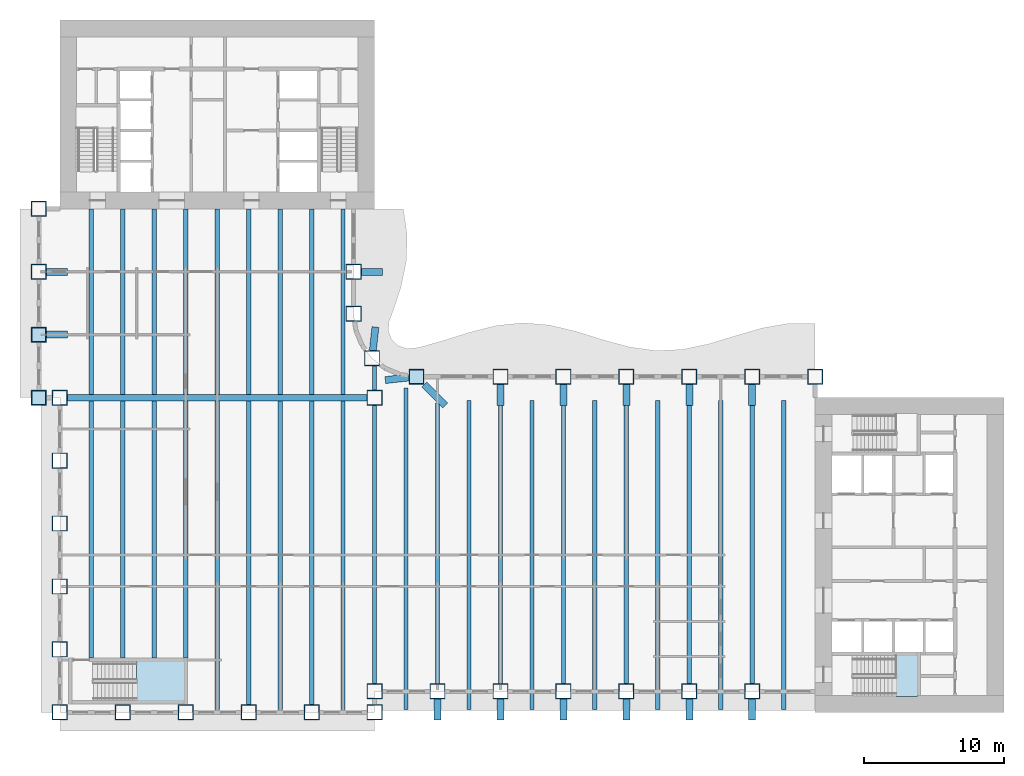
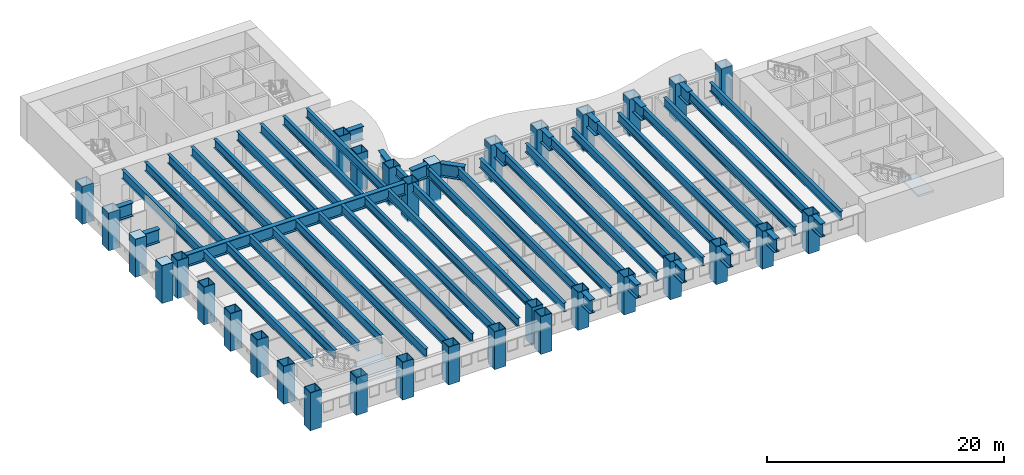
# One storey, part 1 of 16: 51 beams, 33 columns, 3 plates, 2 slabs, 2 elements without a shape of their own.
"""IFC4 building model written with IfcOpenShell, lengths in metres."""

from ifc_helpers import new_model, si_unit, direction, frame, origin, origin_2d, place, context, subcontext, project, spatial, polyline, rectangle, hollow_rectangle, i_section, outline, extrude, material, layer, layer_set, material_profile, profile_set, type_object, element, aggregate, save


model = new_model("IFC4")

# Units and contexts
model_context = context("Model", 3, precision=1e-05, world=origin(), true_north=direction((0.0, 1.0)))
body_context = subcontext(model_context, "Body", "Model", "MODEL_VIEW")
ifc_project = project(units=[si_unit("LENGTHUNIT", "METRE"), si_unit("AREAUNIT", "SQUARE_METRE"), si_unit("VOLUMEUNIT", "CUBIC_METRE"), si_unit("PLANEANGLEUNIT", "RADIAN"), si_unit("MASSUNIT", "GRAM", prefix="KILO")], contexts=[model_context])

# Site, building, storey
site_placement = place(None, origin())
site = spatial("IfcSite", under=ifc_project, at=site_placement, CompositionType="ELEMENT")
building_placement = place(site_placement, origin())
building = spatial("IfcBuilding", under=site, at=building_placement, Name="Sennacour Bend Tower", CompositionType="ELEMENT")
storey_placement = place(building_placement, frame((0.0, 0.0, 73.0)))
storey = spatial("IfcBuildingStorey", under=building, at=storey_placement, Name="L16", CompositionType="ELEMENT", Elevation=73.0)

# Columns
ifc_material_1 = material(Name="Steel ASTM A572 Grade 50", Category="steel")
ifc_material_profile_1 = material_profile(ifc_material_1, hollow_rectangle(XDim=1.10009765625, YDim=1.10009765625, WallThickness=0.06005859375, at=origin_2d()), Name="Steel ASTM A572 Grade 50", Category="steel")
ifc_profile_set_1 = profile_set([ifc_material_profile_1], Name="Steel ASTM A572 Grade 50")
column_type = type_object("IfcColumnType", Name="Box column 1100", PredefinedType="COLUMN", material=ifc_profile_set_1)
for number, where, z_axis, x_axis, name in (
    (1, (-1.5, 22.5, -0.14990234375), (0.0, 0.0, 1.0), (1.0, 0.0, 0.0), "Perimeter column C1 L16-001"),
    (2, (-1.5, 27.0, -0.14990234375), (0.0, 0.0, 1.0), (1.0, 0.0, 0.0), "Perimeter column C1 L16-002"),
    (3, (-1.5, 31.5, -0.14990234375), (0.0, 0.0, 1.0), (1.0, 0.0, 0.0), "Perimeter column C1 L16-003"),
    (4, (-1.5, 36.0, -0.14990234375), (0.0, 0.0, 1.0), (1.0, 0.0, 0.0), "Perimeter column C1 L16-004"),
    (5, (0.0, 0.0, -0.14990234375), (0.0, 0.0, 1.0), (1.0, 0.0, 0.0), "Perimeter column C1 L16-005"),
    (6, (0.0, 4.5, -0.14990234375), (0.0, 0.0, 1.0), (1.0, 0.0, 0.0), "Perimeter column C1 L16-006"),
    (7, (0.0, 9.0, -0.14990234375), (0.0, 0.0, 1.0), (1.0, 0.0, 0.0), "Perimeter column C1 L16-007"),
    (8, (0.0, 13.5, -0.14990234375), (0.0, 0.0, 1.0), (1.0, 0.0, 0.0), "Perimeter column C1 L16-008"),
    (9, (0.0, 18.0, -0.14990234375), (0.0, 0.0, 1.0), (1.0, 0.0, 0.0), "Perimeter column C1 L16-009"),
    (10, (0.0, 22.5, -0.14990234375), (0.0, 0.0, 1.0), (1.0, 0.0, 0.0), "Perimeter column C1 L16-010"),
    (11, (4.5, 0.0, -0.14990234375), (0.0, 0.0, 1.0), (1.0, 0.0, 0.0), "Perimeter column C1 L16-011"),
    (12, (9.0, 0.0, -0.14990234375), (0.0, 0.0, 1.0), (1.0, 0.0, 0.0), "Perimeter column C1 L16-012"),
    (13, (13.5, 0.0, -0.14990234375), (0.0, 0.0, 1.0), (1.0, 0.0, 0.0), "Perimeter column C1 L16-013"),
    (14, (18.0, 0.0, -0.14990234375), (0.0, 0.0, 1.0), (1.0, 0.0, 0.0), "Perimeter column C1 L16-014"),
    (15, (21.0, 28.5, -0.14990234375), (0.0, 0.0, 1.0), (1.0, 0.0, 0.0), "Perimeter column C1 L16-015"),
    (16, (21.0, 31.5, -0.14990234375), (0.0, 0.0, 1.0), (1.0, 0.0, 0.0), "Perimeter column C1 L16-016"),
    (17, (22.318115234375, 25.318115234375, -0.14990234375), (0.0, 0.0, 1.0), (1.0, 0.0, 0.0), "Perimeter column C1 L16-017"),
    (18, (22.5, 0.0, -0.14990234375), (0.0, 0.0, 1.0), (1.0, 0.0, 0.0), "Perimeter column C1 L16-018"),
    (19, (22.5, 1.5, -0.14990234375), (0.0, 0.0, 1.0), (1.0, 0.0, 0.0), "Perimeter column C1 L16-019"),
    (20, (22.5, 22.5, -0.14990234375), (0.0, 0.0, 1.0), (1.0, 0.0, 0.0), "Knuckle column C1 L16-020"),
    (21, (25.5, 24.0, -0.14990234375), (0.0, 0.0, 1.0), (1.0, 0.0, 0.0), "Perimeter column C1 L16-021"),
    (22, (27.0, 1.5, -0.14990234375), (0.0, 0.0, 1.0), (1.0, 0.0, 0.0), "Perimeter column C1 L16-022"),
    (23, (31.5, 1.5, -0.14990234375), (0.0, 0.0, 1.0), (1.0, 0.0, 0.0), "Perimeter column C1 L16-023"),
    (24, (31.5, 24.0, -0.14990234375), (0.0, 0.0, 1.0), (1.0, 0.0, 0.0), "Perimeter column C1 L16-024"),
    (25, (36.0, 1.5, -0.14990234375), (0.0, 0.0, 1.0), (1.0, 0.0, 0.0), "Perimeter column C1 L16-025"),
    (26, (36.0, 24.0, -0.14990234375), (0.0, 0.0, 1.0), (1.0, 0.0, 0.0), "Perimeter column C1 L16-026"),
    (27, (40.5, 1.5, -0.14990234375), (0.0, 0.0, 1.0), (1.0, 0.0, 0.0), "Perimeter column C1 L16-027"),
    (28, (40.5, 24.0, -0.14990234375), (0.0, 0.0, 1.0), (1.0, 0.0, 0.0), "Perimeter column C1 L16-028"),
    (29, (45.0, 1.5, -0.14990234375), (0.0, 0.0, 1.0), (1.0, 0.0, 0.0), "Perimeter column C1 L16-029"),
    (30, (45.0, 24.0, -0.14990234375), (0.0, 0.0, 1.0), (1.0, 0.0, 0.0), "Perimeter column C1 L16-030"),
    (31, (49.5, 1.5, -0.14990234375), (0.0, 0.0, 1.0), (1.0, 0.0, 0.0), "Perimeter column C1 L16-031"),
    (32, (49.5, 24.0, -0.14990234375), (0.0, 0.0, 1.0), (1.0, 0.0, 0.0), "Perimeter column C1 L16-032"),
    (33, (54.0, 24.0, -0.14990234375), (0.0, 0.0, 1.0), (1.0, 0.0, 0.0), "Perimeter column C1 L16-033"),
):
    element("IfcColumn", number, at=place(storey_placement, frame(where, z_axis=z_axis, x_axis=x_axis)), inside=storey, type_object=column_type, Name=name, PredefinedType="COLUMN", context=body_context, shape_type="SweptSolid", body=[
        extrude(hollow_rectangle(XDim=1.10009765625, YDim=1.10009765625, WallThickness=0.06005859375, at=origin_2d()), origin(), (0.0, 0.0, 1.0), 3.89990234375),
    ])

# Beams
ifc_material_2 = material(Name="Steel ASTM A992 Grade 50", Category="steel")
ifc_material_profile_2 = material_profile(ifc_material_2, i_section(OverallWidth=0.304931640625, OverallDepth=0.912109375, WebThickness=0.015869140625, FlangeThickness=0.02392578125, FilletRadius=0.01904296875, at=origin_2d()), Name="Steel ASTM A992 Grade 50", Category="steel")
ifc_profile_set_2 = profile_set([ifc_material_profile_2], Name="Steel ASTM A992 Grade 50")
beam_type_1 = type_object("IfcBeamType", Name="Floor beam W920X223", PredefinedType="BEAM", material=ifc_profile_set_2)
beam_1_placement = place(storey_placement, frame((2.25, 3.875, 3.2939453125), z_axis=(0.0, 1.0, 0.0), x_axis=(-1.0, 0.0, 0.0)))
element("IfcBeam", 34, at=beam_1_placement, inside=storey, type_object=beam_type_1, Name="Floor beam FBM1 L17-001", PredefinedType="BEAM", context=body_context, shape_type="SweptSolid", body=[
    extrude(i_section(OverallWidth=0.304931640625, OverallDepth=0.912109375, WebThickness=0.015869140625, FlangeThickness=0.02392578125, FilletRadius=0.01904296875, at=origin_2d()), origin(), (0.0, 0.0, 1.0), 18.39990234375),
])
beam_2_placement = place(storey_placement, frame((2.25, 22.72509765625, 3.2939453125), z_axis=(0.0, 1.0, 0.0), x_axis=(-1.0, 0.0, 0.0)))
element("IfcBeam", 35, at=beam_2_placement, inside=storey, type_object=beam_type_1, Name="Floor beam FBM1 L17-002", PredefinedType="BEAM", context=body_context, shape_type="SweptSolid", body=[
    extrude(i_section(OverallWidth=0.304931640625, OverallDepth=0.912109375, WebThickness=0.015869140625, FlangeThickness=0.02392578125, FilletRadius=0.01904296875, at=origin_2d()), origin(), (0.0, 0.0, 1.0), 13.27490234375),
])
beam_3_placement = place(storey_placement, frame((4.5, 3.875, 3.2939453125), z_axis=(0.0, 1.0, 0.0), x_axis=(-1.0, 0.0, 0.0)))
element("IfcBeam", 36, at=beam_3_placement, inside=storey, type_object=beam_type_1, Name="Floor beam FBM1 L17-003", PredefinedType="BEAM", context=body_context, shape_type="SweptSolid", body=[
    extrude(i_section(OverallWidth=0.304931640625, OverallDepth=0.912109375, WebThickness=0.015869140625, FlangeThickness=0.02392578125, FilletRadius=0.01904296875, at=origin_2d()), origin(), (0.0, 0.0, 1.0), 18.39990234375),
])
beam_4_placement = place(storey_placement, frame((4.5, 22.72509765625, 3.2939453125), z_axis=(0.0, 1.0, 0.0), x_axis=(-1.0, 0.0, 0.0)))
element("IfcBeam", 37, at=beam_4_placement, inside=storey, type_object=beam_type_1, Name="Floor beam FBM1 L17-004", PredefinedType="BEAM", context=body_context, shape_type="SweptSolid", body=[
    extrude(i_section(OverallWidth=0.304931640625, OverallDepth=0.912109375, WebThickness=0.015869140625, FlangeThickness=0.02392578125, FilletRadius=0.01904296875, at=origin_2d()), origin(), (0.0, 0.0, 1.0), 13.27490234375),
])
beam_5_placement = place(storey_placement, frame((6.75, 3.875, 3.2939453125), z_axis=(0.0, 1.0, 0.0), x_axis=(-1.0, 0.0, 0.0)))
element("IfcBeam", 38, at=beam_5_placement, inside=storey, type_object=beam_type_1, Name="Floor beam FBM1 L17-005", PredefinedType="BEAM", context=body_context, shape_type="SweptSolid", body=[
    extrude(i_section(OverallWidth=0.304931640625, OverallDepth=0.912109375, WebThickness=0.015869140625, FlangeThickness=0.02392578125, FilletRadius=0.01904296875, at=origin_2d()), origin(), (0.0, 0.0, 1.0), 18.39990234375),
])
beam_6_placement = place(storey_placement, frame((6.75, 22.72509765625, 3.2939453125), z_axis=(0.0, 1.0, 0.0), x_axis=(-1.0, 0.0, 0.0)))
element("IfcBeam", 39, at=beam_6_placement, inside=storey, type_object=beam_type_1, Name="Floor beam FBM1 L17-006", PredefinedType="BEAM", context=body_context, shape_type="SweptSolid", body=[
    extrude(i_section(OverallWidth=0.304931640625, OverallDepth=0.912109375, WebThickness=0.015869140625, FlangeThickness=0.02392578125, FilletRadius=0.01904296875, at=origin_2d()), origin(), (0.0, 0.0, 1.0), 13.27490234375),
])
beam_7_placement = place(storey_placement, frame((9.0, 3.875, 3.2939453125), z_axis=(0.0, 1.0, 0.0), x_axis=(-1.0, 0.0, 0.0)))
element("IfcBeam", 40, at=beam_7_placement, inside=storey, type_object=beam_type_1, Name="Floor beam FBM1 L17-007", PredefinedType="BEAM", context=body_context, shape_type="SweptSolid", body=[
    extrude(i_section(OverallWidth=0.304931640625, OverallDepth=0.912109375, WebThickness=0.015869140625, FlangeThickness=0.02392578125, FilletRadius=0.01904296875, at=origin_2d()), origin(), (0.0, 0.0, 1.0), 18.39990234375),
])
beam_8_placement = place(storey_placement, frame((9.0, 22.72509765625, 3.2939453125), z_axis=(0.0, 1.0, 0.0), x_axis=(-1.0, 0.0, 0.0)))
element("IfcBeam", 41, at=beam_8_placement, inside=storey, type_object=beam_type_1, Name="Floor beam FBM1 L17-008", PredefinedType="BEAM", context=body_context, shape_type="SweptSolid", body=[
    extrude(i_section(OverallWidth=0.304931640625, OverallDepth=0.912109375, WebThickness=0.015869140625, FlangeThickness=0.02392578125, FilletRadius=0.01904296875, at=origin_2d()), origin(), (0.0, 0.0, 1.0), 13.27490234375),
])
beam_9_placement = place(storey_placement, frame((11.25, 0.20947265625, 3.2939453125), z_axis=(0.0, 1.0, 0.0), x_axis=(-1.0, 0.0, 0.0)))
element("IfcBeam", 42, at=beam_9_placement, inside=storey, type_object=beam_type_1, Name="Floor beam FBM1 L17-009", PredefinedType="BEAM", context=body_context, shape_type="SweptSolid", body=[
    extrude(i_section(OverallWidth=0.304931640625, OverallDepth=0.912109375, WebThickness=0.015869140625, FlangeThickness=0.02392578125, FilletRadius=0.01904296875, at=origin_2d()), origin(), (0.0, 0.0, 1.0), 22.0654296875),
])
beam_10_placement = place(storey_placement, frame((11.25, 22.72509765625, 3.2939453125), z_axis=(0.0, 1.0, 0.0), x_axis=(-1.0, 0.0, 0.0)))
element("IfcBeam", 43, at=beam_10_placement, inside=storey, type_object=beam_type_1, Name="Floor beam FBM1 L17-010", PredefinedType="BEAM", context=body_context, shape_type="SweptSolid", body=[
    extrude(i_section(OverallWidth=0.304931640625, OverallDepth=0.912109375, WebThickness=0.015869140625, FlangeThickness=0.02392578125, FilletRadius=0.01904296875, at=origin_2d()), origin(), (0.0, 0.0, 1.0), 13.27490234375),
])
beam_11_placement = place(storey_placement, frame((13.5, 0.550048828125, 3.2939453125), z_axis=(0.0, 1.0, 0.0), x_axis=(-1.0, 0.0, 0.0)))
element("IfcBeam", 44, at=beam_11_placement, inside=storey, type_object=beam_type_1, Name="Floor beam FBM1 L17-011", PredefinedType="BEAM", context=body_context, shape_type="SweptSolid", body=[
    extrude(i_section(OverallWidth=0.304931640625, OverallDepth=0.912109375, WebThickness=0.015869140625, FlangeThickness=0.02392578125, FilletRadius=0.01904296875, at=origin_2d()), origin(), (0.0, 0.0, 1.0), 21.724853515625),
])
beam_12_placement = place(storey_placement, frame((13.5, 22.72509765625, 3.2939453125), z_axis=(0.0, 1.0, 0.0), x_axis=(-1.0, 0.0, 0.0)))
element("IfcBeam", 45, at=beam_12_placement, inside=storey, type_object=beam_type_1, Name="Floor beam FBM1 L17-012", PredefinedType="BEAM", context=body_context, shape_type="SweptSolid", body=[
    extrude(i_section(OverallWidth=0.304931640625, OverallDepth=0.912109375, WebThickness=0.015869140625, FlangeThickness=0.02392578125, FilletRadius=0.01904296875, at=origin_2d()), origin(), (0.0, 0.0, 1.0), 13.27490234375),
])
beam_13_placement = place(storey_placement, frame((15.75, 0.20947265625, 3.2939453125), z_axis=(0.0, 1.0, 0.0), x_axis=(-1.0, 0.0, 0.0)))
element("IfcBeam", 46, at=beam_13_placement, inside=storey, type_object=beam_type_1, Name="Floor beam FBM1 L17-013", PredefinedType="BEAM", context=body_context, shape_type="SweptSolid", body=[
    extrude(i_section(OverallWidth=0.304931640625, OverallDepth=0.912109375, WebThickness=0.015869140625, FlangeThickness=0.02392578125, FilletRadius=0.01904296875, at=origin_2d()), origin(), (0.0, 0.0, 1.0), 22.0654296875),
])
beam_14_placement = place(storey_placement, frame((15.75, 22.72509765625, 3.2939453125), z_axis=(0.0, 1.0, 0.0), x_axis=(-1.0, 0.0, 0.0)))
element("IfcBeam", 47, at=beam_14_placement, inside=storey, type_object=beam_type_1, Name="Floor beam FBM1 L17-014", PredefinedType="BEAM", context=body_context, shape_type="SweptSolid", body=[
    extrude(i_section(OverallWidth=0.304931640625, OverallDepth=0.912109375, WebThickness=0.015869140625, FlangeThickness=0.02392578125, FilletRadius=0.01904296875, at=origin_2d()), origin(), (0.0, 0.0, 1.0), 13.27490234375),
])
beam_15_placement = place(storey_placement, frame((18.0, 0.550048828125, 3.2939453125), z_axis=(0.0, 1.0, 0.0), x_axis=(-1.0, 0.0, 0.0)))
element("IfcBeam", 48, at=beam_15_placement, inside=storey, type_object=beam_type_1, Name="Floor beam FBM1 L17-015", PredefinedType="BEAM", context=body_context, shape_type="SweptSolid", body=[
    extrude(i_section(OverallWidth=0.304931640625, OverallDepth=0.912109375, WebThickness=0.015869140625, FlangeThickness=0.02392578125, FilletRadius=0.01904296875, at=origin_2d()), origin(), (0.0, 0.0, 1.0), 21.724853515625),
])
beam_16_placement = place(storey_placement, frame((18.0, 22.72509765625, 3.2939453125), z_axis=(0.0, 1.0, 0.0), x_axis=(-1.0, 0.0, 0.0)))
element("IfcBeam", 49, at=beam_16_placement, inside=storey, type_object=beam_type_1, Name="Floor beam FBM1 L17-016", PredefinedType="BEAM", context=body_context, shape_type="SweptSolid", body=[
    extrude(i_section(OverallWidth=0.304931640625, OverallDepth=0.912109375, WebThickness=0.015869140625, FlangeThickness=0.02392578125, FilletRadius=0.01904296875, at=origin_2d()), origin(), (0.0, 0.0, 1.0), 13.27490234375),
])
beam_17_placement = place(storey_placement, frame((20.25, 0.20947265625, 3.2939453125), z_axis=(0.0, 1.0, 0.0), x_axis=(-1.0, 0.0, 0.0)))
element("IfcBeam", 50, at=beam_17_placement, inside=storey, type_object=beam_type_1, Name="Floor beam FBM1 L17-017", PredefinedType="BEAM", context=body_context, shape_type="SweptSolid", body=[
    extrude(i_section(OverallWidth=0.304931640625, OverallDepth=0.912109375, WebThickness=0.015869140625, FlangeThickness=0.02392578125, FilletRadius=0.01904296875, at=origin_2d()), origin(), (0.0, 0.0, 1.0), 22.0654296875),
])
beam_18_placement = place(storey_placement, frame((20.25, 22.72509765625, 3.2939453125), z_axis=(0.0, 1.0, 0.0), x_axis=(-1.0, 0.0, 0.0)))
element("IfcBeam", 51, at=beam_18_placement, inside=storey, type_object=beam_type_1, Name="Floor beam FBM1 L17-018", PredefinedType="BEAM", context=body_context, shape_type="SweptSolid", body=[
    extrude(i_section(OverallWidth=0.304931640625, OverallDepth=0.912109375, WebThickness=0.015869140625, FlangeThickness=0.02392578125, FilletRadius=0.01904296875, at=origin_2d()), origin(), (0.0, 0.0, 1.0), 13.27490234375),
])
beam_19_placement = place(storey_placement, frame((22.5, 2.050048828125, 3.2939453125), z_axis=(0.0, 1.0, 0.0), x_axis=(-1.0, 0.0, 0.0)))
element("IfcBeam", 52, at=beam_19_placement, inside=storey, type_object=beam_type_1, Name="Floor beam FBM1 L17-019", PredefinedType="BEAM", context=body_context, shape_type="SweptSolid", body=[
    extrude(i_section(OverallWidth=0.304931640625, OverallDepth=0.912109375, WebThickness=0.015869140625, FlangeThickness=0.02392578125, FilletRadius=0.01904296875, at=origin_2d()), origin(), (0.0, 0.0, 1.0), 19.89990234375),
])
beam_20_placement = place(storey_placement, frame((22.5, 23.050048828125, 3.2939453125), z_axis=(0.0, 1.0, 0.0), x_axis=(-1.0, 0.0, 0.0)))
element("IfcBeam", 53, at=beam_20_placement, inside=storey, type_object=beam_type_1, Name="Floor beam FBM1 L17-020", PredefinedType="BEAM", context=body_context, shape_type="SweptSolid", body=[
    extrude(i_section(OverallWidth=0.304931640625, OverallDepth=0.912109375, WebThickness=0.015869140625, FlangeThickness=0.02392578125, FilletRadius=0.01904296875, at=origin_2d()), origin(), (0.0, 0.0, 1.0), 1.718017578125),
])
beam_21_placement = place(storey_placement, frame((24.75, 0.20947265625, 3.2939453125), z_axis=(0.0, 1.0, 0.0), x_axis=(-1.0, 0.0, 0.0)))
element("IfcBeam", 54, at=beam_21_placement, inside=storey, type_object=beam_type_1, Name="Floor beam FBM1 L17-021", PredefinedType="BEAM", context=body_context, shape_type="SweptSolid", body=[
    extrude(i_section(OverallWidth=0.304931640625, OverallDepth=0.912109375, WebThickness=0.015869140625, FlangeThickness=0.02392578125, FilletRadius=0.01904296875, at=origin_2d()), origin(), (0.0, 0.0, 1.0), 22.995849609375),
])
beam_22_placement = place(storey_placement, frame((27.0, 2.050048828125, 3.2939453125), z_axis=(0.0, 1.0, 0.0), x_axis=(-1.0, 0.0, 0.0)))
element("IfcBeam", 55, at=beam_22_placement, inside=storey, type_object=beam_type_1, Name="Floor beam FBM1 L17-022", PredefinedType="BEAM", context=body_context, shape_type="SweptSolid", body=[
    extrude(i_section(OverallWidth=0.304931640625, OverallDepth=0.912109375, WebThickness=0.015869140625, FlangeThickness=0.02392578125, FilletRadius=0.01904296875, at=origin_2d()), origin(), (0.0, 0.0, 1.0), 20.050048828125),
])
beam_23_placement = place(storey_placement, frame((29.25, 0.20947265625, 3.2939453125), z_axis=(0.0, 1.0, 0.0), x_axis=(-1.0, 0.0, 0.0)))
element("IfcBeam", 56, at=beam_23_placement, inside=storey, type_object=beam_type_1, Name="Floor beam FBM1 L17-023", PredefinedType="BEAM", context=body_context, shape_type="SweptSolid", body=[
    extrude(i_section(OverallWidth=0.304931640625, OverallDepth=0.912109375, WebThickness=0.015869140625, FlangeThickness=0.02392578125, FilletRadius=0.01904296875, at=origin_2d()), origin(), (0.0, 0.0, 1.0), 22.0810546875),
])
beam_24_placement = place(storey_placement, frame((31.5, 2.050048828125, 3.2939453125), z_axis=(0.0, 1.0, 0.0), x_axis=(-1.0, 0.0, 0.0)))
element("IfcBeam", 57, at=beam_24_placement, inside=storey, type_object=beam_type_1, Name="Floor beam FBM1 L17-024", PredefinedType="BEAM", context=body_context, shape_type="SweptSolid", body=[
    extrude(i_section(OverallWidth=0.304931640625, OverallDepth=0.912109375, WebThickness=0.015869140625, FlangeThickness=0.02392578125, FilletRadius=0.01904296875, at=origin_2d()), origin(), (0.0, 0.0, 1.0), 19.89990234375),
])
beam_25_placement = place(storey_placement, frame((33.75, 0.20947265625, 3.2939453125), z_axis=(0.0, 1.0, 0.0), x_axis=(-1.0, 0.0, 0.0)))
element("IfcBeam", 58, at=beam_25_placement, inside=storey, type_object=beam_type_1, Name="Floor beam FBM1 L17-025", PredefinedType="BEAM", context=body_context, shape_type="SweptSolid", body=[
    extrude(i_section(OverallWidth=0.304931640625, OverallDepth=0.912109375, WebThickness=0.015869140625, FlangeThickness=0.02392578125, FilletRadius=0.01904296875, at=origin_2d()), origin(), (0.0, 0.0, 1.0), 22.0810546875),
])
beam_26_placement = place(storey_placement, frame((36.0, 2.050048828125, 3.2939453125), z_axis=(0.0, 1.0, 0.0), x_axis=(-1.0, 0.0, 0.0)))
element("IfcBeam", 59, at=beam_26_placement, inside=storey, type_object=beam_type_1, Name="Floor beam FBM1 L17-026", PredefinedType="BEAM", context=body_context, shape_type="SweptSolid", body=[
    extrude(i_section(OverallWidth=0.304931640625, OverallDepth=0.912109375, WebThickness=0.015869140625, FlangeThickness=0.02392578125, FilletRadius=0.01904296875, at=origin_2d()), origin(), (0.0, 0.0, 1.0), 19.89990234375),
])
beam_27_placement = place(storey_placement, frame((38.25, 0.20947265625, 3.2939453125), z_axis=(0.0, 1.0, 0.0), x_axis=(-1.0, 0.0, 0.0)))
element("IfcBeam", 60, at=beam_27_placement, inside=storey, type_object=beam_type_1, Name="Floor beam FBM1 L17-027", PredefinedType="BEAM", context=body_context, shape_type="SweptSolid", body=[
    extrude(i_section(OverallWidth=0.304931640625, OverallDepth=0.912109375, WebThickness=0.015869140625, FlangeThickness=0.02392578125, FilletRadius=0.01904296875, at=origin_2d()), origin(), (0.0, 0.0, 1.0), 22.0810546875),
])
beam_28_placement = place(storey_placement, frame((40.5, 2.050048828125, 3.2939453125), z_axis=(0.0, 1.0, 0.0), x_axis=(-1.0, 0.0, 0.0)))
element("IfcBeam", 61, at=beam_28_placement, inside=storey, type_object=beam_type_1, Name="Floor beam FBM1 L17-028", PredefinedType="BEAM", context=body_context, shape_type="SweptSolid", body=[
    extrude(i_section(OverallWidth=0.304931640625, OverallDepth=0.912109375, WebThickness=0.015869140625, FlangeThickness=0.02392578125, FilletRadius=0.01904296875, at=origin_2d()), origin(), (0.0, 0.0, 1.0), 19.89990234375),
])
beam_29_placement = place(storey_placement, frame((42.75, 0.20947265625, 3.2939453125), z_axis=(0.0, 1.0, 0.0), x_axis=(-1.0, 0.0, 0.0)))
element("IfcBeam", 62, at=beam_29_placement, inside=storey, type_object=beam_type_1, Name="Floor beam FBM1 L17-029", PredefinedType="BEAM", context=body_context, shape_type="SweptSolid", body=[
    extrude(i_section(OverallWidth=0.304931640625, OverallDepth=0.912109375, WebThickness=0.015869140625, FlangeThickness=0.02392578125, FilletRadius=0.01904296875, at=origin_2d()), origin(), (0.0, 0.0, 1.0), 22.0810546875),
])
beam_30_placement = place(storey_placement, frame((45.0, 2.050048828125, 3.2939453125), z_axis=(0.0, 1.0, 0.0), x_axis=(-1.0, 0.0, 0.0)))
element("IfcBeam", 63, at=beam_30_placement, inside=storey, type_object=beam_type_1, Name="Floor beam FBM1 L17-030", PredefinedType="BEAM", context=body_context, shape_type="SweptSolid", body=[
    extrude(i_section(OverallWidth=0.304931640625, OverallDepth=0.912109375, WebThickness=0.015869140625, FlangeThickness=0.02392578125, FilletRadius=0.01904296875, at=origin_2d()), origin(), (0.0, 0.0, 1.0), 19.89990234375),
])
beam_31_placement = place(storey_placement, frame((47.25, 0.20947265625, 3.2939453125), z_axis=(0.0, 1.0, 0.0), x_axis=(-1.0, 0.0, 0.0)))
element("IfcBeam", 64, at=beam_31_placement, inside=storey, type_object=beam_type_1, Name="Floor beam FBM1 L17-031", PredefinedType="BEAM", context=body_context, shape_type="SweptSolid", body=[
    extrude(i_section(OverallWidth=0.304931640625, OverallDepth=0.912109375, WebThickness=0.015869140625, FlangeThickness=0.02392578125, FilletRadius=0.01904296875, at=origin_2d()), origin(), (0.0, 0.0, 1.0), 22.0810546875),
])
beam_32_placement = place(storey_placement, frame((49.5, 2.050048828125, 3.2939453125), z_axis=(0.0, 1.0, 0.0), x_axis=(-1.0, 0.0, 0.0)))
element("IfcBeam", 65, at=beam_32_placement, inside=storey, type_object=beam_type_1, Name="Floor beam FBM1 L17-032", PredefinedType="BEAM", context=body_context, shape_type="SweptSolid", body=[
    extrude(i_section(OverallWidth=0.304931640625, OverallDepth=0.912109375, WebThickness=0.015869140625, FlangeThickness=0.02392578125, FilletRadius=0.01904296875, at=origin_2d()), origin(), (0.0, 0.0, 1.0), 19.89990234375),
])
beam_33_placement = place(storey_placement, frame((51.75, 0.20947265625, 3.2939453125), z_axis=(0.0, 1.0, 0.0), x_axis=(-1.0, 0.0, 0.0)))
element("IfcBeam", 66, at=beam_33_placement, inside=storey, type_object=beam_type_1, Name="Floor beam FBM1 L17-033", PredefinedType="BEAM", context=body_context, shape_type="SweptSolid", body=[
    extrude(i_section(OverallWidth=0.304931640625, OverallDepth=0.912109375, WebThickness=0.015869140625, FlangeThickness=0.02392578125, FilletRadius=0.01904296875, at=origin_2d()), origin(), (0.0, 0.0, 1.0), 22.0810546875),
])
ifc_material_profile_3 = material_profile(ifc_material_1, i_section(OverallWidth=0.449951171875, OverallDepth=1.25, WebThickness=0.028076171875, FlangeThickness=0.050048828125, at=origin_2d()), Name="Steel ASTM A572 Grade 50", Category="steel")
ifc_profile_set_3 = profile_set([ifc_material_profile_3], Name="Steel ASTM A572 Grade 50")
beam_type_2 = type_object("IfcBeamType", Name="Knuckle girder 1250", PredefinedType="USERDEFINED", material=ifc_profile_set_3)
beam_34_placement = place(storey_placement, frame((0.550048828125, 22.5, 3.125), z_axis=(1.0, 0.0, 0.0), x_axis=(0.0, 1.0, 0.0)))
element("IfcBeam", 67, at=beam_34_placement, inside=storey, type_object=beam_type_2, Name="Knuckle girder GK L17-001", ObjectType="KNUCKLE GIRDER", PredefinedType="USERDEFINED", context=body_context, shape_type="SweptSolid", body=[
    extrude(i_section(OverallWidth=0.449951171875, OverallDepth=1.25, WebThickness=0.028076171875, FlangeThickness=0.050048828125, at=origin_2d()), origin(), (0.0, 0.0, 1.0), 21.39990234375),
])
ifc_material_profile_4 = material_profile(ifc_material_1, i_section(OverallWidth=0.5, OverallDepth=1.39990234375, WebThickness=0.030029296875, FlangeThickness=0.054931640625, at=origin_2d()), Name="Steel ASTM A572 Grade 50", Category="steel")
ifc_profile_set_4 = profile_set([ifc_material_profile_4], Name="Steel ASTM A572 Grade 50")
beam_type_3 = type_object("IfcBeamType", Name="Transfer stub 1400", PredefinedType="USERDEFINED", material=ifc_profile_set_4)
for number, where, z_axis, x_axis, name in (
    (68, (-0.949951171875, 27.0, 3.050048828125), (1.0, 0.0, 0.0), (0.0, 1.0, 0.0), "Transfer beam TS L17-001"),
    (69, (-0.949951171875, 31.5, 3.050048828125), (1.0, 0.0, 0.0), (0.0, 1.0, 0.0), "Transfer beam TS L17-002"),
):
    element("IfcBeam", number, at=place(storey_placement, frame(where, z_axis=z_axis, x_axis=x_axis)), inside=storey, type_object=beam_type_3, Name=name, ObjectType="TRANSFER BEAM", PredefinedType="USERDEFINED", context=body_context, shape_type="SweptSolid", body=[
        extrude(i_section(OverallWidth=0.5, OverallDepth=1.39990234375, WebThickness=0.030029296875, FlangeThickness=0.054931640625, at=origin_2d()), origin(), (0.0, 0.0, 1.0), 1.5),
    ])
beam_35_placement = place(storey_placement, frame((22.37744140625, 25.867919921875, 3.050048828125), z_axis=(0.107643743179, 0.994189531505, 0.0), x_axis=(-0.994189531505, 0.107643743179, 0.0)))
element("IfcBeam", 70, at=beam_35_placement, inside=storey, type_object=beam_type_3, Name="Transfer beam TS L17-003", ObjectType="TRANSFER BEAM", PredefinedType="USERDEFINED", context=body_context, shape_type="SweptSolid", body=[
    extrude(i_section(OverallWidth=0.5, OverallDepth=1.39990234375, WebThickness=0.030029296875, FlangeThickness=0.054931640625, at=origin_2d()), origin(), (0.0, 0.0, 1.0), 1.69189453125),
])
beam_36_placement = place(storey_placement, frame((21.550048828125, 31.5, 3.050048828125), z_axis=(1.0, 0.0, 0.0), x_axis=(0.0, 1.0, 0.0)))
element("IfcBeam", 71, at=beam_36_placement, inside=storey, type_object=beam_type_3, Name="Transfer beam TS L17-004", ObjectType="TRANSFER BEAM", PredefinedType="USERDEFINED", context=body_context, shape_type="SweptSolid", body=[
    extrude(i_section(OverallWidth=0.5, OverallDepth=1.39990234375, WebThickness=0.030029296875, FlangeThickness=0.054931640625, at=origin_2d()), origin(), (0.0, 0.0, 1.0), 1.5),
])
beam_37_placement = place(storey_placement, frame((24.949951171875, 23.9404296875, 3.050048828125), z_axis=(-0.994203295747, -0.107516541636, 0.0), x_axis=(0.107516541636, -0.994203295747, 0.0)))
element("IfcBeam", 72, at=beam_37_placement, inside=storey, type_object=beam_type_3, Name="Transfer beam TS L17-005", ObjectType="TRANSFER BEAM", PredefinedType="USERDEFINED", context=body_context, shape_type="SweptSolid", body=[
    extrude(i_section(OverallWidth=0.5, OverallDepth=1.39990234375, WebThickness=0.030029296875, FlangeThickness=0.054931640625, at=origin_2d()), origin(), (0.0, 0.0, 1.0), 1.691650390625),
])
beam_38_placement = place(storey_placement, frame((27.0, 0.949951171875, 3.050048828125), z_axis=(0.0, -1.0, 0.0), x_axis=(1.0, 0.0, 0.0)))
element("IfcBeam", 73, at=beam_38_placement, inside=storey, type_object=beam_type_3, Name="Transfer beam TS L17-006", ObjectType="TRANSFER BEAM", PredefinedType="USERDEFINED", context=body_context, shape_type="SweptSolid", body=[
    extrude(i_section(OverallWidth=0.5, OverallDepth=1.39990234375, WebThickness=0.030029296875, FlangeThickness=0.054931640625, at=origin_2d()), origin(), (0.0, 0.0, 1.0), 1.5),
])
beam_39_placement = place(storey_placement, frame((26.050048828125, 23.449951171875, 3.050048828125), z_axis=(0.707106781187, -0.707106781187, 0.0), x_axis=(0.707106781187, 0.707106781187, 0.0)))
element("IfcBeam", 74, at=beam_39_placement, inside=storey, type_object=beam_type_3, Name="Transfer beam TS L17-007", ObjectType="TRANSFER BEAM", PredefinedType="USERDEFINED", context=body_context, shape_type="SweptSolid", body=[
    extrude(i_section(OverallWidth=0.5, OverallDepth=1.39990234375, WebThickness=0.030029296875, FlangeThickness=0.054931640625, at=origin_2d()), origin(), (0.0, 0.0, 1.0), 2.121337890625),
])
for number, where, z_axis, x_axis, name in (
    (75, (31.5, 0.949951171875, 3.050048828125), (0.0, -1.0, 0.0), (1.0, 0.0, 0.0), "Transfer beam TS L17-008"),
    (76, (31.5, 23.449951171875, 3.050048828125), (0.0, -1.0, 0.0), (1.0, 0.0, 0.0), "Transfer beam TS L17-009"),
    (77, (36.0, 0.949951171875, 3.050048828125), (0.0, -1.0, 0.0), (1.0, 0.0, 0.0), "Transfer beam TS L17-010"),
    (78, (36.0, 23.449951171875, 3.050048828125), (0.0, -1.0, 0.0), (1.0, 0.0, 0.0), "Transfer beam TS L17-011"),
    (79, (40.5, 0.949951171875, 3.050048828125), (0.0, -1.0, 0.0), (1.0, 0.0, 0.0), "Transfer beam TS L17-012"),
    (80, (40.5, 23.449951171875, 3.050048828125), (0.0, -1.0, 0.0), (1.0, 0.0, 0.0), "Transfer beam TS L17-013"),
    (81, (45.0, 0.949951171875, 3.050048828125), (0.0, -1.0, 0.0), (1.0, 0.0, 0.0), "Transfer beam TS L17-014"),
    (82, (45.0, 23.449951171875, 3.050048828125), (0.0, -1.0, 0.0), (1.0, 0.0, 0.0), "Transfer beam TS L17-015"),
    (83, (49.5, 0.949951171875, 3.050048828125), (0.0, -1.0, 0.0), (1.0, 0.0, 0.0), "Transfer beam TS L17-016"),
    (84, (49.5, 23.449951171875, 3.050048828125), (0.0, -1.0, 0.0), (1.0, 0.0, 0.0), "Transfer beam TS L17-017"),
):
    element("IfcBeam", number, at=place(storey_placement, frame(where, z_axis=z_axis, x_axis=x_axis)), inside=storey, type_object=beam_type_3, Name=name, ObjectType="TRANSFER BEAM", PredefinedType="USERDEFINED", context=body_context, shape_type="SweptSolid", body=[
        extrude(i_section(OverallWidth=0.5, OverallDepth=1.39990234375, WebThickness=0.030029296875, FlangeThickness=0.054931640625, at=origin_2d()), origin(), (0.0, 0.0, 1.0), 1.5),
    ])

# Plates
ifc_layer_1 = layer(ifc_material_1, 0.02490234375, Name="Steel ASTM A572 Grade 50", Category="steel")
ifc_layer_set_1 = layer_set([ifc_layer_1], Name="Steel ASTM A572 Grade 50")
plate_type = type_object("IfcPlateType", Name="Column cap plate 1100", PredefinedType="USERDEFINED", material=ifc_layer_set_1)
for number, where, z_axis, x_axis, name in (
    (85, (-1.5, 22.5, 3.75), (0.0, 0.0, 1.0), (1.0, 0.0, 0.0), "Column cap plate L16-001"),
    (86, (-1.5, 27.0, 3.75), (0.0, 0.0, 1.0), (1.0, 0.0, 0.0), "Column cap plate L16-002"),
    (87, (25.5, 24.0, 3.75), (0.0, 0.0, 1.0), (1.0, 0.0, 0.0), "Column cap plate L16-021"),
):
    element("IfcPlate", number, at=place(storey_placement, frame(where, z_axis=z_axis, x_axis=x_axis)), inside=storey, type_object=plate_type, Name=name, ObjectType="END PLATE", PredefinedType="USERDEFINED", context=body_context, shape_type="SweptSolid", body=[
        extrude(rectangle(XDim=1.10009765625, YDim=1.10009765625, at=origin_2d()), origin(), (0.0, 0.0, 1.0), 0.02490234375),
    ])

# Stair, slab
ifc_material_3 = material(Name="Concrete C40/50", Category="concrete")
stair_type = type_object("IfcStairType", Name="ST-DOGLEG", PredefinedType="HALF_TURN_STAIR", material=ifc_material_3)
stair_1_placement = place(storey_placement, origin())
stair_1 = element("IfcStair", 88, at=stair_1_placement, inside=storey, type_object=stair_type, Name="L16 Exit stair A1", PredefinedType="HALF_TURN_STAIR")
ifc_layer_2 = layer(ifc_material_3, 0.199951171875, Name="Concrete C40/50", Category="concrete")
ifc_layer_set_2 = layer_set([ifc_layer_2], Name="Concrete C40/50")
slab_type = type_object("IfcSlabType", Name="Stair landing 200", PredefinedType="LANDING", material=ifc_layer_set_2)
slab_1_placement = place(storey_placement, frame((0.0, 0.0, 1.800048828125)))
slab_1 = element("IfcSlab", 89, at=slab_1_placement, type_object=slab_type, Name="SA1 landing 1", PredefinedType="LANDING", context=body_context, shape_type="SweptSolid", body=[
    extrude(outline(polyline([(59.780029296875, 1.14990234375), (61.324951171875, 1.14990234375), (61.324951171875, 4.125), (59.780029296875, 4.125), (59.780029296875, 1.14990234375)])), origin(), (0.0, 0.0, 1.0), 0.199951171875),
])
aggregate(stair_1, [slab_1])

stair_2_placement = place(storey_placement, origin())
stair_2 = element("IfcStair", 90, at=stair_2_placement, inside=storey, type_object=stair_type, Name="L16 Exit stair K1", PredefinedType="HALF_TURN_STAIR")
slab_2_placement = place(storey_placement, frame((0.0, 0.0, 1.800048828125)))
slab_2 = element("IfcSlab", 91, at=slab_2_placement, type_object=slab_type, Name="SK1 landing 1", PredefinedType="LANDING", context=body_context, shape_type="SweptSolid", body=[
    extrude(outline(polyline([(5.47998046875, 0.800048828125), (8.925048828125, 0.800048828125), (8.925048828125, 3.675048828125), (5.47998046875, 3.675048828125), (5.47998046875, 0.800048828125)])), origin(), (0.0, 0.0, 1.0), 0.199951171875),
])
aggregate(stair_2, [slab_2])

save(model, "model.ifc")
